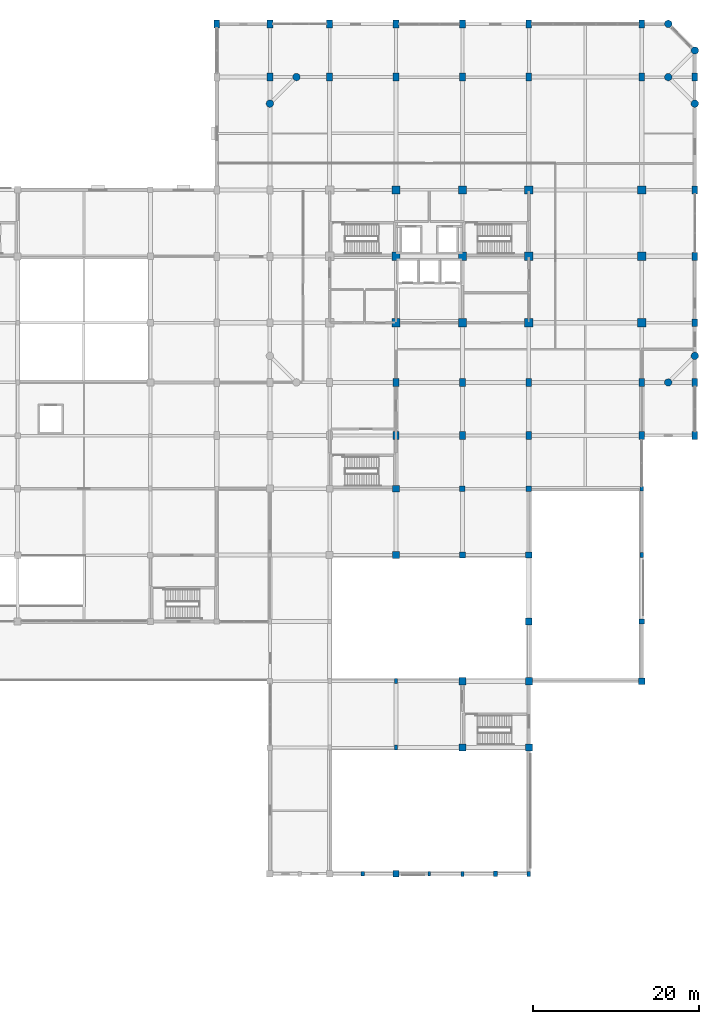
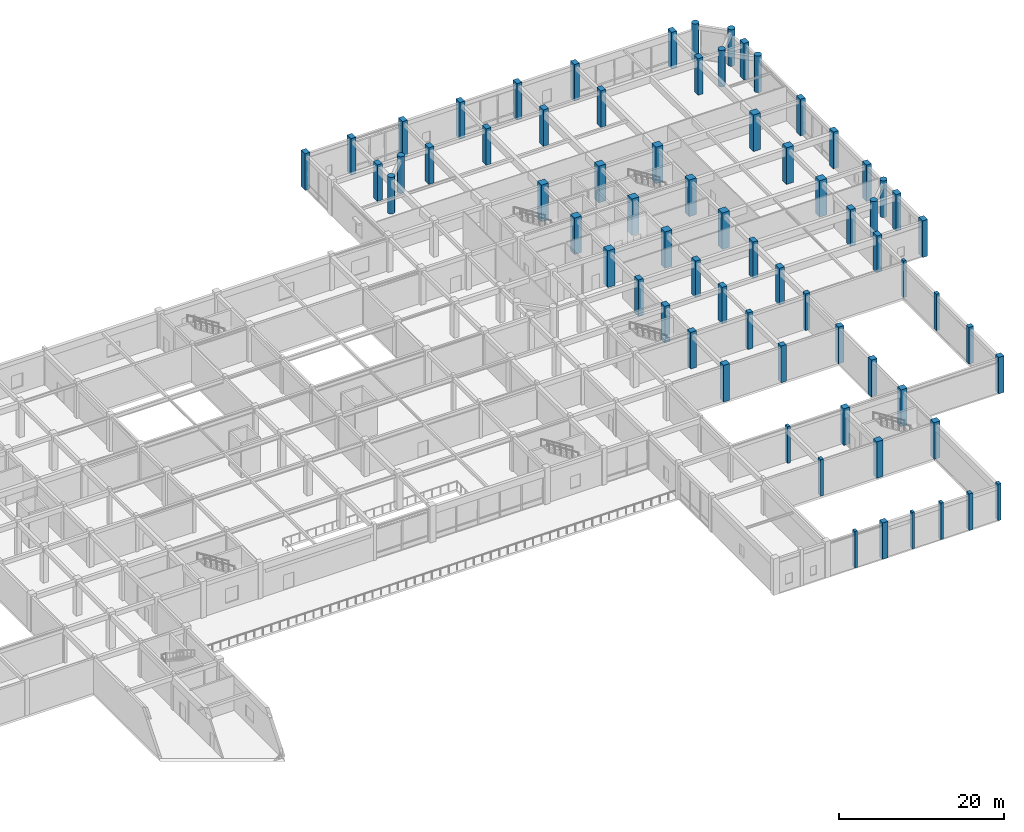
# One storey, part 2 of 36: 70 columns.
"""IFC4 building model written with IfcOpenShell, lengths in metres."""

from ifc_helpers import new_model, si_unit, direction, frame, origin, origin_2d, place, context, subcontext, project, spatial, rectangle, circle, extrude, material, material_profile, profile_set, type_object, element, save


model = new_model("IFC4")

# Units and contexts
model_context = context("Model", 3, precision=1e-05, world=origin(), true_north=direction((0.0, 1.0)))
body_context = subcontext(model_context, "Body", "Model", "MODEL_VIEW")
ifc_project = project(units=[si_unit("LENGTHUNIT", "METRE"), si_unit("AREAUNIT", "SQUARE_METRE"), si_unit("VOLUMEUNIT", "CUBIC_METRE"), si_unit("PLANEANGLEUNIT", "RADIAN"), si_unit("MASSUNIT", "GRAM", prefix="KILO")], contexts=[model_context])

# Site, building, storey
site_placement = place(None, origin())
site = spatial("IfcSite", under=ifc_project, at=site_placement, CompositionType="ELEMENT")
building_placement = place(site_placement, origin())
building = spatial("IfcBuilding", under=site, at=building_placement, Name="Vellmiral Cinema and Media Centre", CompositionType="ELEMENT")
storey_placement = place(building_placement, frame((0.0, 0.0, 5.39990234375)))
storey = spatial("IfcBuildingStorey", under=building, at=storey_placement, Name="L01", CompositionType="ELEMENT", Elevation=5.39990234375)

# Columns
ifc_material_1 = material(Name="Concrete C40/50", Category="concrete")
ifc_material_profile_1 = material_profile(ifc_material_1, rectangle(XDim=1.0, YDim=1.0, at=origin_2d()), Name="RC 1000x1000")
ifc_profile_set_1 = profile_set([ifc_material_profile_1], Name="Concrete C40/50")
column_type_1 = type_object("IfcColumnType", Name="COL-RC-1000x1000", PredefinedType="COLUMN", material=ifc_profile_set_1)
for number, where, z_axis, x_axis, name in (
    (1, (132.0, 79.199951171875, 0.0), (0.0, 0.0, 1.0), (1.0, 0.0, 0.0), "Column L01-160"),
    (2, (132.0, 87.199951171875, 0.0), (0.0, 0.0, 1.0), (1.0, 0.0, 0.0), "Column L01-161"),
    (3, (132.0, 95.199951171875, 0.0), (0.0, 0.0, 1.0), (1.0, 0.0, 0.0), "Column L01-162"),
    (4, (140.0, 79.199951171875, 0.0), (0.0, 0.0, 1.0), (1.0, 0.0, 0.0), "Column L01-172"),
    (5, (140.0, 87.199951171875, 0.0), (0.0, 0.0, 1.0), (1.0, 0.0, 0.0), "Column L01-173"),
    (6, (140.0, 95.199951171875, 0.0), (0.0, 0.0, 1.0), (1.0, 0.0, 0.0), "Column L01-174"),
    (7, (148.0, 79.199951171875, 0.0), (0.0, 0.0, 1.0), (1.0, 0.0, 0.0), "Column L01-185"),
    (8, (148.0, 87.199951171875, 0.0), (0.0, 0.0, 1.0), (1.0, 0.0, 0.0), "Column L01-186"),
    (9, (148.0, 95.199951171875, 0.0), (0.0, 0.0, 1.0), (1.0, 0.0, 0.0), "Column L01-187"),
    (10, (161.60009765625, 79.199951171875, 0.0), (0.0, 0.0, 1.0), (1.0, 0.0, 0.0), "Column L01-196"),
    (11, (161.60009765625, 87.199951171875, 0.0), (0.0, 0.0, 1.0), (1.0, 0.0, 0.0), "Column L01-197"),
    (12, (161.60009765625, 95.199951171875, 0.0), (0.0, 0.0, 1.0), (1.0, 0.0, 0.0), "Column L01-198"),
):
    element("IfcColumn", number, at=place(storey_placement, frame(where, z_axis=z_axis, x_axis=x_axis)), inside=storey, type_object=column_type_1, Name=name, PredefinedType="COLUMN", context=body_context, shape_type="SweptSolid", body=[
        extrude(rectangle(XDim=1.0, YDim=1.0, at=origin_2d()), origin(), (0.0, 0.0, 1.0), 5.400146484375),
    ])
ifc_material_2 = material(Name="Concrete C40/50", Category="concrete")
ifc_material_profile_2 = material_profile(ifc_material_2, rectangle(XDim=0.39990234375, YDim=0.5, at=origin_2d()), Name="RC 400x500")
ifc_profile_set_2 = profile_set([ifc_material_profile_2], Name="Concrete C40/50")
column_type_2 = type_object("IfcColumnType", Name="COL-RC-400x500", PredefinedType="COLUMN", material=ifc_profile_set_2)
column_1_placement = place(storey_placement, frame((161.60009765625, 59.199951171875, 0.0), z_axis=(0.0, 0.0, 1.0), x_axis=(1.0, 0.0, 0.0)))
element("IfcColumn", 13, at=column_1_placement, inside=storey, type_object=column_type_2, Name="Column L01-193", PredefinedType="COLUMN", context=body_context, shape_type="SweptSolid", body=[
    extrude(rectangle(XDim=0.39990234375, YDim=0.5, at=origin_2d()), origin(), (0.0, 0.0, 1.0), 5.400146484375),
])
ifc_material_3 = material(Name="Concrete C40/50", Category="concrete")
ifc_material_profile_3 = material_profile(ifc_material_3, rectangle(XDim=0.39990234375, YDim=0.60009765625, at=origin_2d()), Name="RC 400x600")
ifc_profile_set_3 = profile_set([ifc_material_profile_3], Name="Concrete C40/50")
column_type_3 = type_object("IfcColumnType", Name="COL-RC-400x600", PredefinedType="COLUMN", material=ifc_profile_set_3)
for number, where, z_axis, x_axis, name in (
    (14, (132.0, 28.0, 0.0), (0.0, 0.0, 1.0), (1.0, 0.0, 0.0), "Column L01-154"),
    (15, (132.0, 36.0, 0.0), (0.0, 0.0, 1.0), (1.0, 0.0, 0.0), "Column L01-155"),
    (16, (140.0, 12.800048828125, 0.0), (0.0, 0.0, 1.0), (1.0, 0.0, 0.0), "Column L01-165"),
    (17, (148.0, 12.800048828125, 0.0), (0.0, 0.0, 1.0), (1.0, 0.0, 0.0), "Column L01-177"),
    (18, (161.60009765625, 51.199951171875, 0.0), (0.0, 0.0, 1.0), (1.0, 0.0, 0.0), "Column L01-192"),
):
    element("IfcColumn", number, at=place(storey_placement, frame(where, z_axis=z_axis, x_axis=x_axis)), inside=storey, type_object=column_type_3, Name=name, PredefinedType="COLUMN", context=body_context, shape_type="SweptSolid", body=[
        extrude(rectangle(XDim=0.39990234375, YDim=0.60009765625, at=origin_2d()), origin(), (0.0, 0.0, 1.0), 5.400146484375),
    ])
ifc_material_4 = material(Name="Concrete C40/50", Category="concrete")
ifc_material_profile_4 = material_profile(ifc_material_4, rectangle(XDim=0.64990234375, YDim=0.64990234375, at=origin_2d()), Name="RC 650x650")
ifc_profile_set_4 = profile_set([ifc_material_profile_4], Name="Concrete C40/50")
column_type_4 = type_object("IfcColumnType", Name="COL-RC-650x650", PredefinedType="COLUMN", material=ifc_profile_set_4)
for number, where, z_axis, x_axis, name in (
    (19, (140.0, 59.199951171875, 0.0), (0.0, 0.0, 1.0), (1.0, 0.0, 0.0), "Column L01-169"),
    (20, (148.0, 59.199951171875, 0.0), (0.0, 0.0, 1.0), (1.0, 0.0, 0.0), "Column L01-182"),
    (21, (161.60009765625, 43.199951171875, 0.0), (0.0, 0.0, 1.0), (1.0, 0.0, 0.0), "Column L01-191"),
):
    element("IfcColumn", number, at=place(storey_placement, frame(where, z_axis=z_axis, x_axis=x_axis)), inside=storey, type_object=column_type_4, Name=name, PredefinedType="COLUMN", context=body_context, shape_type="SweptSolid", body=[
        extrude(rectangle(XDim=0.64990234375, YDim=0.64990234375, at=origin_2d()), origin(), (0.0, 0.0, 1.0), 5.400146484375),
    ])
ifc_material_5 = material(Name="Concrete C40/50", Category="concrete")
ifc_material_profile_5 = material_profile(ifc_material_5, rectangle(XDim=0.699951171875, YDim=0.949951171875, at=origin_2d()), Name="RC 700x950")
ifc_profile_set_5 = profile_set([ifc_material_profile_5], Name="Concrete C40/50")
column_type_5 = type_object("IfcColumnType", Name="COL-RC-700x950", PredefinedType="COLUMN", material=ifc_profile_set_5)
for number, where, z_axis, x_axis, name in (
    (22, (110.39990234375, 115.199951171875, 0.0), (0.0, 0.0, 1.0), (1.0, 0.0, 0.0), "Column L01-122"),
    (23, (116.800048828125, 108.800048828125, 0.0), (0.0, 0.0, 1.0), (1.0, 0.0, 0.0), "Column L01-136"),
    (24, (116.800048828125, 115.199951171875, 0.0), (0.0, 0.0, 1.0), (1.0, 0.0, 0.0), "Column L01-137"),
    (25, (124.0, 108.800048828125, 0.0), (0.0, 0.0, 1.0), (1.0, 0.0, 0.0), "Column L01-151"),
    (26, (124.0, 115.199951171875, 0.0), (0.0, 0.0, 1.0), (1.0, 0.0, 0.0), "Column L01-152"),
    (27, (132.0, 65.60009765625, 0.0), (0.0, 0.0, 1.0), (1.0, 0.0, 0.0), "Column L01-158"),
    (28, (132.0, 72.0, 0.0), (0.0, 0.0, 1.0), (1.0, 0.0, 0.0), "Column L01-159"),
    (29, (132.0, 108.800048828125, 0.0), (0.0, 0.0, 1.0), (1.0, 0.0, 0.0), "Column L01-163"),
    (30, (132.0, 115.199951171875, 0.0), (0.0, 0.0, 1.0), (1.0, 0.0, 0.0), "Column L01-164"),
    (31, (140.0, 65.60009765625, 0.0), (0.0, 0.0, 1.0), (1.0, 0.0, 0.0), "Column L01-170"),
    (32, (140.0, 72.0, 0.0), (0.0, 0.0, 1.0), (1.0, 0.0, 0.0), "Column L01-171"),
    (33, (140.0, 108.800048828125, 0.0), (0.0, 0.0, 1.0), (1.0, 0.0, 0.0), "Column L01-175"),
    (34, (140.0, 115.199951171875, 0.0), (0.0, 0.0, 1.0), (1.0, 0.0, 0.0), "Column L01-176"),
    (35, (148.0, 65.60009765625, 0.0), (0.0, 0.0, 1.0), (1.0, 0.0, 0.0), "Column L01-183"),
    (36, (148.0, 72.0, 0.0), (0.0, 0.0, 1.0), (1.0, 0.0, 0.0), "Column L01-184"),
    (37, (148.0, 108.800048828125, 0.0), (0.0, 0.0, 1.0), (1.0, 0.0, 0.0), "Column L01-188"),
    (38, (148.0, 115.199951171875, 0.0), (0.0, 0.0, 1.0), (1.0, 0.0, 0.0), "Column L01-189"),
    (39, (161.60009765625, 65.60009765625, 0.0), (0.0, 0.0, 1.0), (1.0, 0.0, 0.0), "Column L01-194"),
    (40, (161.60009765625, 72.0, 0.0), (0.0, 0.0, 1.0), (1.0, 0.0, 0.0), "Column L01-195"),
    (41, (161.60009765625, 108.800048828125, 0.0), (0.0, 0.0, 1.0), (1.0, 0.0, 0.0), "Column L01-199"),
    (42, (161.60009765625, 115.199951171875, 0.0), (0.0, 0.0, 1.0), (1.0, 0.0, 0.0), "Column L01-200"),
    (43, (168.0, 65.60009765625, 0.0), (0.0, 0.0, 1.0), (1.0, 0.0, 0.0), "Column L01-204"),
    (44, (168.0, 72.0, 0.0), (0.0, 0.0, 1.0), (1.0, 0.0, 0.0), "Column L01-205"),
    (45, (168.0, 79.199951171875, 0.0), (0.0, 0.0, 1.0), (1.0, 0.0, 0.0), "Column L01-207"),
    (46, (168.0, 87.199951171875, 0.0), (0.0, 0.0, 1.0), (1.0, 0.0, 0.0), "Column L01-208"),
    (47, (168.0, 95.199951171875, 0.0), (0.0, 0.0, 1.0), (1.0, 0.0, 0.0), "Column L01-209"),
    (48, (168.0, 108.800048828125, 0.0), (0.0, 0.0, 1.0), (1.0, 0.0, 0.0), "Column L01-211"),
):
    element("IfcColumn", number, at=place(storey_placement, frame(where, z_axis=z_axis, x_axis=x_axis)), inside=storey, type_object=column_type_5, Name=name, PredefinedType="COLUMN", context=body_context, shape_type="SweptSolid", body=[
        extrude(rectangle(XDim=0.699951171875, YDim=0.949951171875, at=origin_2d()), origin(), (0.0, 0.0, 1.0), 5.400146484375),
    ])
ifc_material_6 = material(Name="Concrete C40/50", Category="concrete")
ifc_material_profile_6 = material_profile(ifc_material_6, rectangle(XDim=0.75, YDim=0.75, at=origin_2d()), Name="RC 750x750")
ifc_profile_set_6 = profile_set([ifc_material_profile_6], Name="Concrete C40/50")
column_type_6 = type_object("IfcColumnType", Name="COL-RC-750x750", PredefinedType="COLUMN", material=ifc_profile_set_6)
for number, where, z_axis, x_axis, name in (
    (49, (132.0, 12.800048828125, 0.0), (0.0, 0.0, 1.0), (1.0, 0.0, 0.0), "Column L01-153"),
    (50, (140.0, 51.199951171875, 0.0), (0.0, 0.0, 1.0), (1.0, 0.0, 0.0), "Column L01-168"),
    (51, (148.0, 51.199951171875, 0.0), (0.0, 0.0, 1.0), (1.0, 0.0, 0.0), "Column L01-181"),
    (52, (161.60009765625, 36.0, 0.0), (0.0, 0.0, 1.0), (1.0, 0.0, 0.0), "Column L01-190"),
):
    element("IfcColumn", number, at=place(storey_placement, frame(where, z_axis=z_axis, x_axis=x_axis)), inside=storey, type_object=column_type_6, Name=name, PredefinedType="COLUMN", context=body_context, shape_type="SweptSolid", body=[
        extrude(rectangle(XDim=0.75, YDim=0.75, at=origin_2d()), origin(), (0.0, 0.0, 1.0), 5.400146484375),
    ])
ifc_material_7 = material(Name="Concrete C40/50", Category="concrete")
ifc_material_profile_7 = material_profile(ifc_material_7, rectangle(XDim=0.800048828125, YDim=0.800048828125, at=origin_2d()), Name="RC 800x800")
ifc_profile_set_7 = profile_set([ifc_material_profile_7], Name="Concrete C40/50")
column_type_7 = type_object("IfcColumnType", Name="COL-RC-800x800", PredefinedType="COLUMN", material=ifc_profile_set_7)
for number, where, z_axis, x_axis, name in (
    (53, (132.0, 59.199951171875, 0.0), (0.0, 0.0, 1.0), (1.0, 0.0, 0.0), "Column L01-157"),
    (54, (148.0, 43.199951171875, 0.0), (0.0, 0.0, 1.0), (1.0, 0.0, 0.0), "Column L01-180"),
):
    element("IfcColumn", number, at=place(storey_placement, frame(where, z_axis=z_axis, x_axis=x_axis)), inside=storey, type_object=column_type_7, Name=name, PredefinedType="COLUMN", context=body_context, shape_type="SweptSolid", body=[
        extrude(rectangle(XDim=0.800048828125, YDim=0.800048828125, at=origin_2d()), origin(), (0.0, 0.0, 1.0), 5.400146484375),
    ])
ifc_material_8 = material(Name="Concrete C40/50", Category="concrete")
ifc_material_profile_8 = material_profile(ifc_material_8, rectangle(XDim=0.85009765625, YDim=0.85009765625, at=origin_2d()), Name="RC 850x850")
ifc_profile_set_8 = profile_set([ifc_material_profile_8], Name="Concrete C40/50")
column_type_8 = type_object("IfcColumnType", Name="COL-RC-850x850", PredefinedType="COLUMN", material=ifc_profile_set_8)
for number, where, z_axis, x_axis, name in (
    (55, (132.0, 51.199951171875, 0.0), (0.0, 0.0, 1.0), (1.0, 0.0, 0.0), "Column L01-156"),
    (56, (140.0, 28.0, 0.0), (0.0, 0.0, 1.0), (1.0, 0.0, 0.0), "Column L01-166"),
    (57, (140.0, 36.0, 0.0), (0.0, 0.0, 1.0), (1.0, 0.0, 0.0), "Column L01-167"),
    (58, (148.0, 28.0, 0.0), (0.0, 0.0, 1.0), (1.0, 0.0, 0.0), "Column L01-178"),
    (59, (148.0, 36.0, 0.0), (0.0, 0.0, 1.0), (1.0, 0.0, 0.0), "Column L01-179"),
):
    element("IfcColumn", number, at=place(storey_placement, frame(where, z_axis=z_axis, x_axis=x_axis)), inside=storey, type_object=column_type_8, Name=name, PredefinedType="COLUMN", context=body_context, shape_type="SweptSolid", body=[
        extrude(rectangle(XDim=0.85009765625, YDim=0.85009765625, at=origin_2d()), origin(), (0.0, 0.0, 1.0), 5.400146484375),
    ])
ifc_material_9 = material(Name="Concrete C40/50", Category="concrete")
ifc_material_profile_9 = material_profile(ifc_material_9, circle(Radius=0.449951171875, at=origin_2d()), Name="RC D900")
ifc_profile_set_9 = profile_set([ifc_material_profile_9], Name="Concrete C40/50")
column_type_9 = type_object("IfcColumnType", Name="COL-RCC-D900", PredefinedType="COLUMN", material=ifc_profile_set_9)
for number, where, z_axis, x_axis, name in (
    (60, (116.800048828125, 105.60009765625, 0.0), (0.0, 0.0, 1.0), (1.0, 0.0, 0.0), "Column L01-135"),
    (61, (120.0, 108.800048828125, 0.0), (0.0, 0.0, 1.0), (1.0, 0.0, 0.0), "Column L01-139"),
    (62, (164.800048828125, 72.0, 0.0), (0.0, 0.0, 1.0), (1.0, 0.0, 0.0), "Column L01-201"),
    (63, (164.800048828125, 108.800048828125, 0.0), (0.0, 0.0, 1.0), (1.0, 0.0, 0.0), "Column L01-202"),
    (64, (164.800048828125, 115.199951171875, 0.0), (0.0, 0.0, 1.0), (1.0, 0.0, 0.0), "Column L01-203"),
    (65, (168.0, 75.199951171875, 0.0), (0.0, 0.0, 1.0), (1.0, 0.0, 0.0), "Column L01-206"),
    (66, (168.0, 105.60009765625, 0.0), (0.0, 0.0, 1.0), (1.0, 0.0, 0.0), "Column L01-210"),
    (67, (168.0, 112.0, 0.0), (0.0, 0.0, 1.0), (1.0, 0.0, 0.0), "Column L01-212"),
):
    element("IfcColumn", number, at=place(storey_placement, frame(where, z_axis=z_axis, x_axis=x_axis)), inside=storey, type_object=column_type_9, Name=name, PredefinedType="COLUMN", context=body_context, shape_type="SweptSolid", body=[
        extrude(circle(Radius=0.449951171875, at=origin_2d()), origin(), (0.0, 0.0, 1.0), 5.400146484375),
    ])
ifc_material_10 = material(Name="Vosges Red Sandstone Masonry", Category="masonry")
ifc_material_profile_10 = material_profile(ifc_material_10, rectangle(XDim=0.35009765625, YDim=0.5, at=origin_2d()), Name="SAND 350x500")
ifc_profile_set_10 = profile_set([ifc_material_profile_10], Name="Vosges Red Sandstone Masonry")
column_type_10 = type_object("IfcColumnType", Name="PIL-SAND-350x500", PredefinedType="PILASTER", material=ifc_profile_set_10)
column_2_placement = place(storey_placement, frame((136.0, 12.800048828125, 0.0), z_axis=(0.0, 0.0, 1.0), x_axis=(1.0, 0.0, 0.0)))
element("IfcColumn", 68, at=column_2_placement, inside=storey, type_object=column_type_10, Name="Sandstone Arcade Pilaster L01-06", PredefinedType="PILASTER", context=body_context, shape_type="SweptSolid", body=[
    extrude(rectangle(XDim=0.35009765625, YDim=0.5, at=origin_2d()), origin(), (0.0, 0.0, 1.0), 5.400146484375),
])
ifc_material_11 = material(Name="Vosges Red Sandstone Masonry", Category="masonry")
ifc_material_profile_11 = material_profile(ifc_material_11, rectangle(XDim=0.39990234375, YDim=0.550048828125, at=origin_2d()), Name="SAND 400x550")
ifc_profile_set_11 = profile_set([ifc_material_profile_11], Name="Vosges Red Sandstone Masonry")
column_type_11 = type_object("IfcColumnType", Name="PIL-SAND-400x550", PredefinedType="PILASTER", material=ifc_profile_set_11)
column_3_placement = place(storey_placement, frame((128.0, 12.800048828125, 0.0), z_axis=(0.0, 0.0, 1.0), x_axis=(1.0, 0.0, 0.0)))
element("IfcColumn", 69, at=column_3_placement, inside=storey, type_object=column_type_11, Name="Sandstone Arcade Pilaster L01-05", PredefinedType="PILASTER", context=body_context, shape_type="SweptSolid", body=[
    extrude(rectangle(XDim=0.39990234375, YDim=0.550048828125, at=origin_2d()), origin(), (0.0, 0.0, 1.0), 5.400146484375),
])
ifc_material_12 = material(Name="Vosges Red Sandstone Masonry", Category="masonry")
ifc_material_profile_12 = material_profile(ifc_material_12, rectangle(XDim=0.5, YDim=0.64990234375, at=origin_2d()), Name="SAND 500x650")
ifc_profile_set_12 = profile_set([ifc_material_profile_12], Name="Vosges Red Sandstone Masonry")
column_type_12 = type_object("IfcColumnType", Name="PIL-SAND-500x650", PredefinedType="PILASTER", material=ifc_profile_set_12)
column_4_placement = place(storey_placement, frame((144.0, 12.800048828125, 0.0), z_axis=(0.0, 0.0, 1.0), x_axis=(1.0, 0.0, 0.0)))
element("IfcColumn", 70, at=column_4_placement, inside=storey, type_object=column_type_12, Name="Sandstone Arcade Pilaster L01-07", PredefinedType="PILASTER", context=body_context, shape_type="SweptSolid", body=[
    extrude(rectangle(XDim=0.5, YDim=0.64990234375, at=origin_2d()), origin(), (0.0, 0.0, 1.0), 5.400146484375),
])

save(model, "model.ifc")
